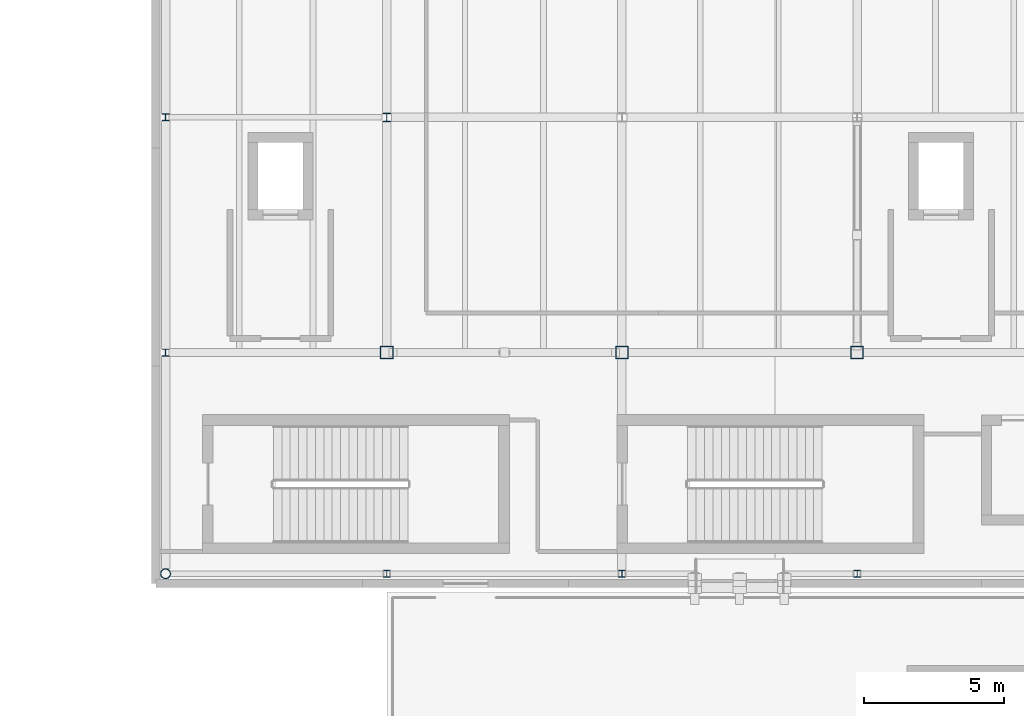
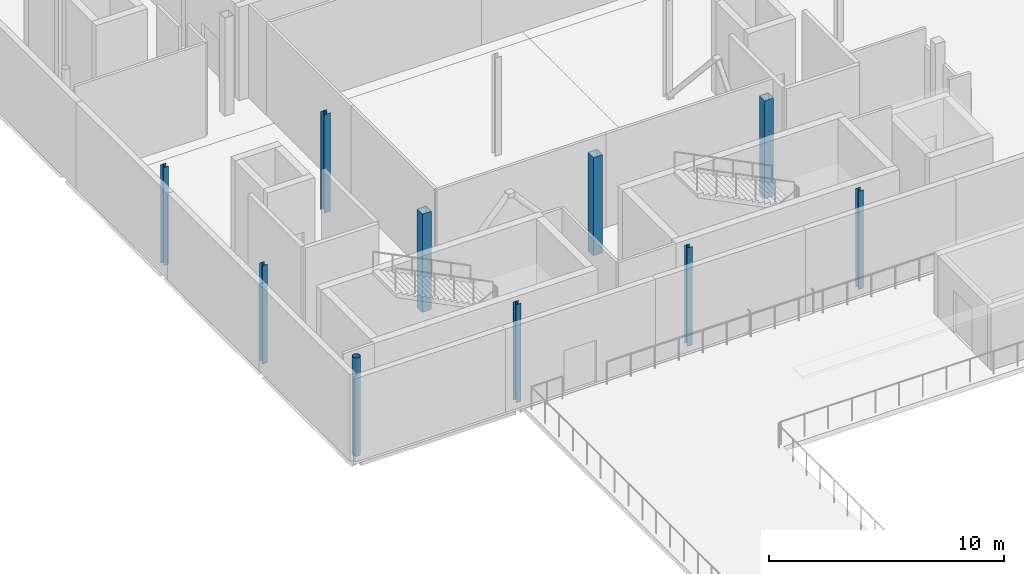
# One storey, part 6 of 57: 10 columns.
"""IFC4 building model written with IfcOpenShell, lengths in metres."""

from ifc_helpers import new_model, si_unit, direction, frame, origin, origin_2d, place, context, subcontext, project, spatial, hollow_rectangle, hollow_circle, i_section, extrude, material, material_profile, profile_set, type_object, element, save


model = new_model("IFC4")

# Units and contexts
model_context = context("Model", 3, precision=1e-05, world=origin(), true_north=direction((0.0, 1.0)))
body_context = subcontext(model_context, "Body", "Model", "MODEL_VIEW")
ifc_project = project(units=[si_unit("LENGTHUNIT", "METRE"), si_unit("AREAUNIT", "SQUARE_METRE"), si_unit("VOLUMEUNIT", "CUBIC_METRE"), si_unit("PLANEANGLEUNIT", "RADIAN"), si_unit("MASSUNIT", "GRAM", prefix="KILO"), si_unit("THERMODYNAMICTEMPERATUREUNIT", "KELVIN")], contexts=[model_context])

# Site, building, storey
site_placement = place(None, origin())
site = spatial("IfcSite", under=ifc_project, at=site_placement, CompositionType="ELEMENT")
building_placement = place(site_placement, origin())
building = spatial("IfcBuilding", under=site, at=building_placement, Name="Lustrewick Department Store", CompositionType="ELEMENT")
storey_placement = place(building_placement, frame((0.0, 0.0, 26.699951171875)))
storey = spatial("IfcBuildingStorey", under=building, at=storey_placement, Name="L06", CompositionType="ELEMENT", Elevation=26.699951171875)

# Columns
ifc_material = material(Name="Structural steel Q355B", Category="steel")
ifc_material_profile_1 = material_profile(ifc_material, hollow_rectangle(XDim=0.449951171875, YDim=0.449951171875, WallThickness=0.01806640625, at=origin_2d()), Name="BOX 450x450x18")
ifc_profile_set_1 = profile_set([ifc_material_profile_1], Name="Structural steel Q355B")
column_type_1 = type_object("IfcColumnType", Name="C07", PredefinedType="COLUMN", material=ifc_profile_set_1)
for number, where, z_axis, x_axis, name in (
    (1, (117.60009765625, 58.800048828125, 0.0), (0.0, 0.0, 1.0), (1.0, 0.0, 0.0), "L06 V4 Column C07"),
    (2, (126.0, 58.800048828125, 0.0), (0.0, 0.0, 1.0), (1.0, 0.0, 0.0), "L06 V4 Column C07"),
    (3, (134.39990234375, 58.800048828125, 0.0), (0.0, 0.0, 1.0), (1.0, 0.0, 0.0), "L06 V4 Column C07"),
):
    element("IfcColumn", number, at=place(storey_placement, frame(where, z_axis=z_axis, x_axis=x_axis)), inside=storey, type_object=column_type_1, Name=name, PredefinedType="COLUMN", context=body_context, shape_type="SweptSolid", body=[
        extrude(hollow_rectangle(XDim=0.449951171875, YDim=0.449951171875, WallThickness=0.01806640625, at=origin_2d()), origin(), (0.0, 0.0, 1.0), 5.10009765625),
    ])
ifc_material_profile_2 = material_profile(ifc_material, i_section(OverallWidth=0.300048828125, OverallDepth=0.300048828125, WebThickness=0.010009765625, FlangeThickness=0.014892578125, FilletRadius=0.01806640625, at=origin_2d()), Name="HW 300x300x10x15")
ifc_profile_set_2 = profile_set([ifc_material_profile_2], Name="Structural steel Q355B")
column_type_2 = type_object("IfcColumnType", Name="C15", PredefinedType="COLUMN", material=ifc_profile_set_2)
column_1_placement = place(storey_placement, frame((117.60009765625, 67.199951171875, 0.0), z_axis=(0.0, 0.0, 1.0), x_axis=(1.0, 0.0, 0.0)))
element("IfcColumn", 4, at=column_1_placement, inside=storey, type_object=column_type_2, Name="L06 V4 Column C15", PredefinedType="COLUMN", context=body_context, shape_type="SweptSolid", body=[
    extrude(i_section(OverallWidth=0.300048828125, OverallDepth=0.300048828125, WebThickness=0.010009765625, FlangeThickness=0.014892578125, FilletRadius=0.01806640625, at=origin_2d()), origin(), (0.0, 0.0, 1.0), 5.10009765625),
])
ifc_material_profile_3 = material_profile(ifc_material, hollow_circle(Radius=0.177978515625, WallThickness=0.013916015625, at=origin_2d()), Name="CHS 356x14")
ifc_profile_set_3 = profile_set([ifc_material_profile_3], Name="Structural steel Q355B")
column_type_3 = type_object("IfcColumnType", Name="CE05", PredefinedType="COLUMN", material=ifc_profile_set_3)
column_2_placement = place(storey_placement, frame((109.699951171875, 50.89990234375, 0.0), z_axis=(0.0, 0.0, 1.0), x_axis=(1.0, 0.0, 0.0)))
element("IfcColumn", 5, at=column_2_placement, inside=storey, type_object=column_type_3, Name="L06 V4 Column CE05", PredefinedType="COLUMN", context=body_context, shape_type="SweptSolid", body=[
    extrude(hollow_circle(Radius=0.177978515625, WallThickness=0.013916015625, at=origin_2d()), origin(), (0.0, 0.0, 1.0), 5.10009765625),
])
ifc_material_profile_4 = material_profile(ifc_material, i_section(OverallWidth=0.25, OverallDepth=0.25, WebThickness=0.009033203125, FlangeThickness=0.013916015625, FilletRadius=0.01611328125, at=origin_2d()), Name="HW 250x250x9x14")
ifc_profile_set_4 = profile_set([ifc_material_profile_4], Name="Structural steel Q355B")
column_type_4 = type_object("IfcColumnType", Name="CE08", PredefinedType="COLUMN", material=ifc_profile_set_4)
for number, where, z_axis, x_axis, name in (
    (6, (109.699951171875, 58.800048828125, 0.0), (0.0, 0.0, 1.0), (1.0, 0.0, 0.0), "L06 V4 Column CE08"),
    (7, (109.699951171875, 67.199951171875, 0.0), (0.0, 0.0, 1.0), (1.0, 0.0, 0.0), "L06 V4 Column CE08"),
    (8, (117.60009765625, 50.89990234375, 0.0), (0.0, 0.0, 1.0), (1.0, 0.0, 0.0), "L06 V4 Column CE08"),
    (9, (126.0, 50.89990234375, 0.0), (0.0, 0.0, 1.0), (1.0, 0.0, 0.0), "L06 V4 Column CE08"),
    (10, (134.39990234375, 50.89990234375, 0.0), (0.0, 0.0, 1.0), (1.0, 0.0, 0.0), "L06 V4 Column CE08"),
):
    element("IfcColumn", number, at=place(storey_placement, frame(where, z_axis=z_axis, x_axis=x_axis)), inside=storey, type_object=column_type_4, Name=name, PredefinedType="COLUMN", context=body_context, shape_type="SweptSolid", body=[
        extrude(i_section(OverallWidth=0.25, OverallDepth=0.25, WebThickness=0.009033203125, FlangeThickness=0.013916015625, FilletRadius=0.01611328125, at=origin_2d()), origin(), (0.0, 0.0, 1.0), 5.10009765625),
    ])

save(model, "model.ifc")
